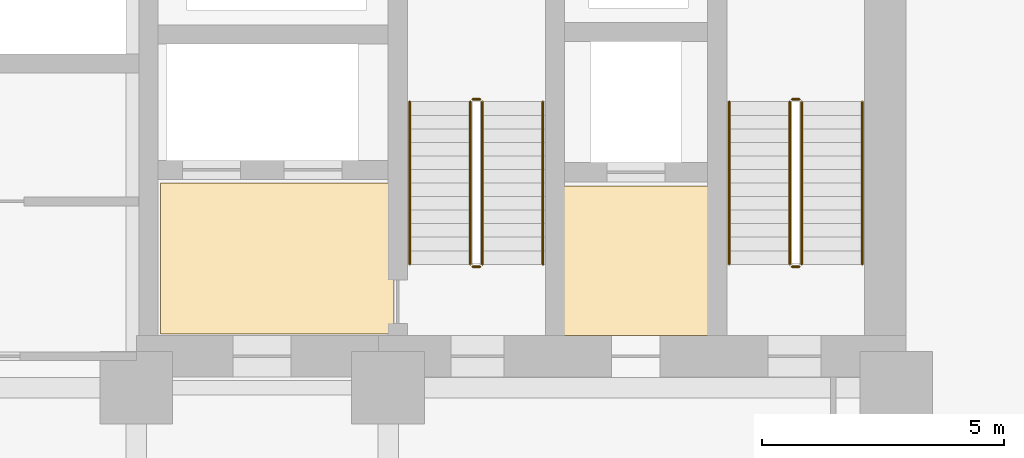
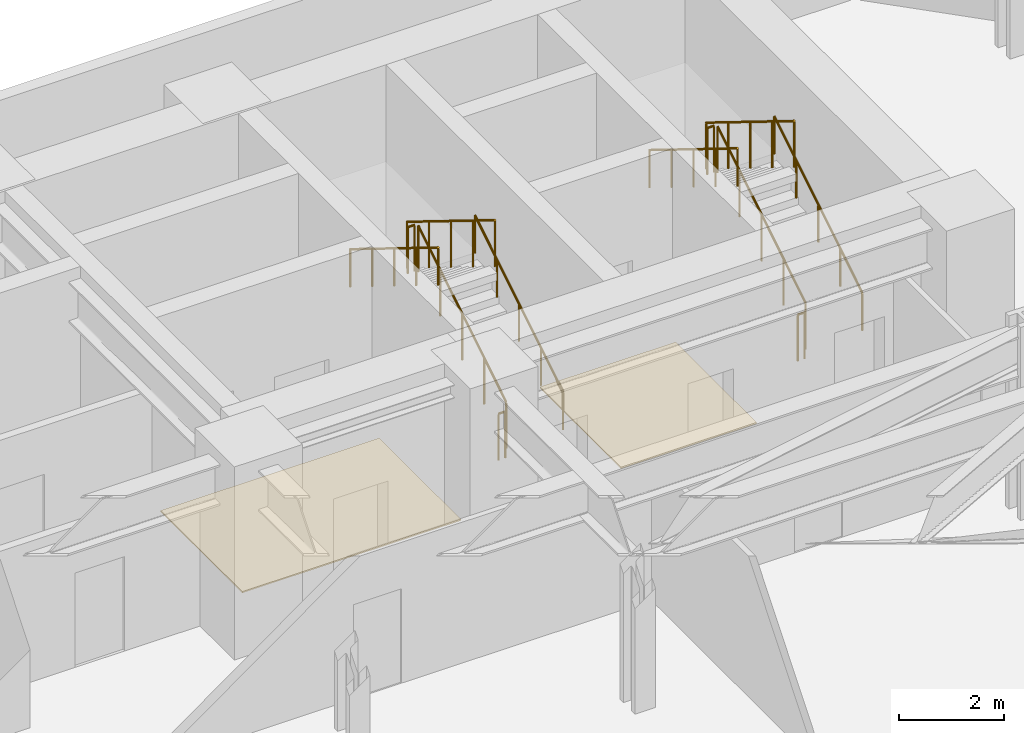
# One storey, part 28 of 28: 12 railings, 2 coverings.
"""IFC4 building model written with IfcOpenShell, lengths in metres."""

from ifc_helpers import new_model, si_unit, direction, frame, origin, origin_2d, place, context, subcontext, project, spatial, polyline, circle, outline, extrude, material, layer, layer_set, type_object, element, save


model = new_model("IFC4")

# Units and contexts
model_context = context("Model", 3, precision=1e-05, world=origin(), true_north=direction((0.0, 1.0)))
body_context = subcontext(model_context, "Body", "Model", "MODEL_VIEW")
ifc_project = project(units=[si_unit("LENGTHUNIT", "METRE"), si_unit("AREAUNIT", "SQUARE_METRE"), si_unit("VOLUMEUNIT", "CUBIC_METRE"), si_unit("PLANEANGLEUNIT", "RADIAN"), si_unit("MASSUNIT", "GRAM", prefix="KILO")], contexts=[model_context])

# Site, building, storey
site_placement = place(None, origin())
site = spatial("IfcSite", under=ifc_project, at=site_placement, CompositionType="ELEMENT")
building_placement = place(site_placement, origin())
building = spatial("IfcBuilding", under=site, at=building_placement, Name="Kravanh Interchange Tower", CompositionType="ELEMENT")
storey_placement = place(building_placement, frame((0.0, 0.0, 10.800048828125)))
storey = spatial("IfcBuildingStorey", under=building, at=storey_placement, Name="L02", CompositionType="ELEMENT", Elevation=10.800048828125)

# Coverings
ifc_material_1 = material(Name="Cementitious Terrazzo Tile")
ifc_layer_1 = layer(ifc_material_1, 0.030029296875)
ifc_layer_set_1 = layer_set([ifc_layer_1], Name="Honed Terrazzo Lobby Flooring 30mm")
covering_type = type_object("IfcCoveringType", Name="Honed Terrazzo Lobby Flooring 30mm", PredefinedType="FLOORING", material=ifc_layer_set_1)
covering_1_placement = place(storey_placement, origin())
element("IfcCovering", 1, at=covering_1_placement, inside=storey, type_object=covering_type, Name="L02 Service Lift Lobby Floor Finish", PredefinedType="FLOORING", context=body_context, shape_type="SweptSolid", body=[
    extrude(outline(polyline([(59.6298828125, 41.52001953125), (62.6201171875, 41.52001953125), (62.6201171875, 38.429931640625), (59.6298828125, 38.429931640625), (59.6298828125, 41.52001953125)])), origin(), (0.0, 0.0, 1.0), 0.030029296875),
])
covering_2_placement = place(storey_placement, origin())
element("IfcCovering", 2, at=covering_2_placement, inside=storey, type_object=covering_type, Name="L02 Firefighting Lobby Floor Finish", PredefinedType="FLOORING", context=body_context, shape_type="SweptSolid", body=[
    extrude(outline(polyline([(56.1201171875, 38.4599609375), (51.300048828125, 38.4599609375), (51.300048828125, 41.580078125), (56.1201171875, 41.580078125), (56.1201171875, 38.4599609375)])), origin(), (0.0, 0.0, 1.0), 0.030029296875),
])

# Railings
ifc_material_2 = material(Name="Structural Steel S355", Category="steel")
ifc_layer_2 = layer(ifc_material_2, 0.050048828125)
ifc_layer_set_2 = layer_set([ifc_layer_2], Name="Stair Well Guardrail Structural Steel S355 1100mm")
railing_type_1 = type_object("IfcRailingType", Name="Stair Well Guardrail Structural Steel S355 1100mm", PredefinedType="GUARDRAIL", material=ifc_layer_set_2)
railing_1_placement = place(storey_placement, frame((64.550048828125, 39.89990234375, 0.173095703125)))
element("IfcRailing", 3, at=railing_1_placement, inside=storey, type_object=railing_type_1, Name="L02 ST1 stair guard 1", PredefinedType="GUARDRAIL", context=body_context, shape_type="SweptSolid", body=[
    extrude(circle(Radius=0.02392578125, at=origin_2d()), frame((0.0, 0.0, 1.076171875), z_axis=(0.0, 0.850623216509, 0.525775754039), x_axis=(-1.0, 0.0, 0.0)), (0.0, 0.0, 1.0), 3.9501953125),
    extrude(circle(Radius=0.02099609375, at=origin_2d()), origin(), (0.0, 0.0, 1.0), 1.052001953125),
    extrude(circle(Radius=0.02099609375, at=origin_2d()), frame((0.0, 0.840087890625, 0.519287109375)), (0.0, 0.0, 1.0), 1.052001953125),
    extrude(circle(Radius=0.02099609375, at=origin_2d()), frame((0.0, 1.68017578125, 1.03857421875)), (0.0, 0.0, 1.0), 1.052001953125),
    extrude(circle(Radius=0.02099609375, at=origin_2d()), frame((0.0, 2.52001953125, 1.5576171875)), (0.0, 0.0, 1.0), 1.052001953125),
    extrude(circle(Radius=0.02099609375, at=origin_2d()), frame((0.0, 3.360107421875, 2.076904296875)), (0.0, 0.0, 1.0), 1.052001953125),
])
railing_2_placement = place(storey_placement, frame((64.5, 43.31005859375, 2.25)))
element("IfcRailing", 4, at=railing_2_placement, inside=storey, type_object=railing_type_1, Name="L02 ST1 stair guard 2", PredefinedType="GUARDRAIL", context=body_context, shape_type="SweptSolid", body=[
    extrude(circle(Radius=0.02392578125, at=origin_2d()), frame((0.0, 0.0, 1.076171875), z_axis=(-1.0, 0.0, 0.0), x_axis=(0.0, -1.0, 0.0)), (0.0, 0.0, 1.0), 0.14990234375),
    extrude(circle(Radius=0.02099609375, at=origin_2d()), origin(), (0.0, 0.0, 1.0), 1.052001953125),
    extrude(circle(Radius=0.02099609375, at=origin_2d()), frame((-0.14990234375, 0.0, 0.0)), (0.0, 0.0, 1.0), 1.052001953125),
])
railing_3_placement = place(storey_placement, frame((64.300048828125, 43.260009765625, 2.423095703125)))
element("IfcRailing", 5, at=railing_3_placement, inside=storey, type_object=railing_type_1, Name="L02 ST1 stair guard 3", PredefinedType="GUARDRAIL", context=body_context, shape_type="SweptSolid", body=[
    extrude(circle(Radius=0.02392578125, at=origin_2d()), frame((0.0, 0.0, 1.076171875), z_axis=(0.0, -0.850623216509, 0.525775754039), x_axis=(1.0, 0.0, 0.0)), (0.0, 0.0, 1.0), 3.9501953125),
    extrude(circle(Radius=0.02099609375, at=origin_2d()), origin(), (0.0, 0.0, 1.0), 1.052001953125),
    extrude(circle(Radius=0.02099609375, at=origin_2d()), frame((0.0, -0.840087890625, 0.519287109375)), (0.0, 0.0, 1.0), 1.052001953125),
    extrude(circle(Radius=0.02099609375, at=origin_2d()), frame((0.0, -1.68017578125, 1.03857421875)), (0.0, 0.0, 1.0), 1.052001953125),
    extrude(circle(Radius=0.02099609375, at=origin_2d()), frame((0.0, -2.52001953125, 1.5576171875)), (0.0, 0.0, 1.0), 1.052001953125),
    extrude(circle(Radius=0.02099609375, at=origin_2d()), frame((0.0, -3.360107421875, 2.076904296875)), (0.0, 0.0, 1.0), 1.052001953125),
])
railing_4_placement = place(storey_placement, frame((64.5, 39.85009765625, 0.0)))
element("IfcRailing", 6, at=railing_4_placement, inside=storey, type_object=railing_type_1, Name="L02 ST1 stair guard 4", PredefinedType="GUARDRAIL", context=body_context, shape_type="SweptSolid", body=[
    extrude(circle(Radius=0.02392578125, at=origin_2d()), frame((0.0, 0.0, 1.076171875), z_axis=(-1.0, 0.0, 0.0), x_axis=(0.0, -1.0, 0.0)), (0.0, 0.0, 1.0), 0.14990234375),
    extrude(circle(Radius=0.02099609375, at=origin_2d()), origin(), (0.0, 0.0, 1.0), 1.052001953125),
    extrude(circle(Radius=0.02099609375, at=origin_2d()), frame((-0.14990234375, 0.0, 0.0)), (0.0, 0.0, 1.0), 1.052001953125),
])
railing_5_placement = place(storey_placement, frame((57.949951171875, 39.89990234375, 0.173095703125)))
element("IfcRailing", 7, at=railing_5_placement, inside=storey, type_object=railing_type_1, Name="L02 ST2 stair guard 1", PredefinedType="GUARDRAIL", context=body_context, shape_type="SweptSolid", body=[
    extrude(circle(Radius=0.02392578125, at=origin_2d()), frame((0.0, 0.0, 1.076171875), z_axis=(0.0, 0.850623216509, 0.525775754039), x_axis=(-1.0, 0.0, 0.0)), (0.0, 0.0, 1.0), 3.9501953125),
    extrude(circle(Radius=0.02099609375, at=origin_2d()), origin(), (0.0, 0.0, 1.0), 1.052001953125),
    extrude(circle(Radius=0.02099609375, at=origin_2d()), frame((0.0, 0.840087890625, 0.519287109375)), (0.0, 0.0, 1.0), 1.052001953125),
    extrude(circle(Radius=0.02099609375, at=origin_2d()), frame((0.0, 1.68017578125, 1.03857421875)), (0.0, 0.0, 1.0), 1.052001953125),
    extrude(circle(Radius=0.02099609375, at=origin_2d()), frame((0.0, 2.52001953125, 1.5576171875)), (0.0, 0.0, 1.0), 1.052001953125),
    extrude(circle(Radius=0.02099609375, at=origin_2d()), frame((0.0, 3.360107421875, 2.076904296875)), (0.0, 0.0, 1.0), 1.052001953125),
])
railing_6_placement = place(storey_placement, frame((57.89990234375, 43.31005859375, 2.25)))
element("IfcRailing", 8, at=railing_6_placement, inside=storey, type_object=railing_type_1, Name="L02 ST2 stair guard 2", PredefinedType="GUARDRAIL", context=body_context, shape_type="SweptSolid", body=[
    extrude(circle(Radius=0.02392578125, at=origin_2d()), frame((0.0, 0.0, 1.076171875), z_axis=(-1.0, 0.0, 0.0), x_axis=(0.0, -1.0, 0.0)), (0.0, 0.0, 1.0), 0.14990234375),
    extrude(circle(Radius=0.02099609375, at=origin_2d()), origin(), (0.0, 0.0, 1.0), 1.052001953125),
    extrude(circle(Radius=0.02099609375, at=origin_2d()), frame((-0.14990234375, 0.0, 0.0)), (0.0, 0.0, 1.0), 1.052001953125),
])
railing_7_placement = place(storey_placement, frame((57.699951171875, 43.260009765625, 2.423095703125)))
element("IfcRailing", 9, at=railing_7_placement, inside=storey, type_object=railing_type_1, Name="L02 ST2 stair guard 3", PredefinedType="GUARDRAIL", context=body_context, shape_type="SweptSolid", body=[
    extrude(circle(Radius=0.02392578125, at=origin_2d()), frame((0.0, 0.0, 1.076171875), z_axis=(0.0, -0.850623216509, 0.525775754039), x_axis=(1.0, 0.0, 0.0)), (0.0, 0.0, 1.0), 3.9501953125),
    extrude(circle(Radius=0.02099609375, at=origin_2d()), origin(), (0.0, 0.0, 1.0), 1.052001953125),
    extrude(circle(Radius=0.02099609375, at=origin_2d()), frame((0.0, -0.840087890625, 0.519287109375)), (0.0, 0.0, 1.0), 1.052001953125),
    extrude(circle(Radius=0.02099609375, at=origin_2d()), frame((0.0, -1.68017578125, 1.03857421875)), (0.0, 0.0, 1.0), 1.052001953125),
    extrude(circle(Radius=0.02099609375, at=origin_2d()), frame((0.0, -2.52001953125, 1.5576171875)), (0.0, 0.0, 1.0), 1.052001953125),
    extrude(circle(Radius=0.02099609375, at=origin_2d()), frame((0.0, -3.360107421875, 2.076904296875)), (0.0, 0.0, 1.0), 1.052001953125),
])
railing_8_placement = place(storey_placement, frame((57.89990234375, 39.85009765625, 0.0)))
element("IfcRailing", 10, at=railing_8_placement, inside=storey, type_object=railing_type_1, Name="L02 ST2 stair guard 4", PredefinedType="GUARDRAIL", context=body_context, shape_type="SweptSolid", body=[
    extrude(circle(Radius=0.02392578125, at=origin_2d()), frame((0.0, 0.0, 1.076171875), z_axis=(-1.0, 0.0, 0.0), x_axis=(0.0, -1.0, 0.0)), (0.0, 0.0, 1.0), 0.14990234375),
    extrude(circle(Radius=0.02099609375, at=origin_2d()), origin(), (0.0, 0.0, 1.0), 1.052001953125),
    extrude(circle(Radius=0.02099609375, at=origin_2d()), frame((-0.14990234375, 0.0, 0.0)), (0.0, 0.0, 1.0), 1.052001953125),
])
ifc_material_3 = material(Name="Stainless Steel 304", Category="steel")
ifc_layer_3 = layer(ifc_material_3, 0.044921875)
ifc_layer_set_3 = layer_set([ifc_layer_3], Name="Tubular Stair Handrail Stainless 304 900mm")
railing_type_2 = type_object("IfcRailingType", Name="Tubular Stair Handrail Stainless 304 900mm", PredefinedType="HANDRAIL", material=ifc_layer_set_3)
railing_9_placement = place(storey_placement, frame((65.800048828125, 39.89990234375, 0.173095703125)))
element("IfcRailing", 11, at=railing_9_placement, inside=storey, type_object=railing_type_2, Name="L02 ST1 stair handrail 1", PredefinedType="HANDRAIL", context=body_context, shape_type="SweptSolid", body=[
    extrude(circle(Radius=0.02392578125, at=origin_2d()), frame((0.0, 0.0, 0.8759765625), z_axis=(0.0, 0.850623216509, 0.525775754039), x_axis=(-1.0, 0.0, 0.0)), (0.0, 0.0, 1.0), 3.9501953125),
    extrude(circle(Radius=0.02099609375, at=origin_2d()), origin(), (0.0, 0.0, 1.0), 0.851806640625),
    extrude(circle(Radius=0.02099609375, at=origin_2d()), frame((0.0, 0.840087890625, 0.519287109375)), (0.0, 0.0, 1.0), 0.851806640625),
    extrude(circle(Radius=0.02099609375, at=origin_2d()), frame((0.0, 1.68017578125, 1.03857421875)), (0.0, 0.0, 1.0), 0.851806640625),
    extrude(circle(Radius=0.02099609375, at=origin_2d()), frame((0.0, 2.52001953125, 1.5576171875)), (0.0, 0.0, 1.0), 0.851806640625),
    extrude(circle(Radius=0.02099609375, at=origin_2d()), frame((0.0, 3.360107421875, 2.076904296875)), (0.0, 0.0, 1.0), 0.851806640625),
])
railing_10_placement = place(storey_placement, frame((63.050048828125, 43.260009765625, 2.423095703125)))
element("IfcRailing", 12, at=railing_10_placement, inside=storey, type_object=railing_type_2, Name="L02 ST1 stair handrail 2", PredefinedType="HANDRAIL", context=body_context, shape_type="SweptSolid", body=[
    extrude(circle(Radius=0.02392578125, at=origin_2d()), frame((0.0, 0.0, 0.8759765625), z_axis=(0.0, -0.850623216509, 0.525775754039), x_axis=(1.0, 0.0, 0.0)), (0.0, 0.0, 1.0), 3.9501953125),
    extrude(circle(Radius=0.02099609375, at=origin_2d()), origin(), (0.0, 0.0, 1.0), 0.851806640625),
    extrude(circle(Radius=0.02099609375, at=origin_2d()), frame((0.0, -0.840087890625, 0.519287109375)), (0.0, 0.0, 1.0), 0.851806640625),
    extrude(circle(Radius=0.02099609375, at=origin_2d()), frame((0.0, -1.68017578125, 1.03857421875)), (0.0, 0.0, 1.0), 0.851806640625),
    extrude(circle(Radius=0.02099609375, at=origin_2d()), frame((0.0, -2.52001953125, 1.5576171875)), (0.0, 0.0, 1.0), 0.851806640625),
    extrude(circle(Radius=0.02099609375, at=origin_2d()), frame((0.0, -3.360107421875, 2.076904296875)), (0.0, 0.0, 1.0), 0.851806640625),
])
railing_11_placement = place(storey_placement, frame((59.199951171875, 39.89990234375, 0.173095703125)))
element("IfcRailing", 13, at=railing_11_placement, inside=storey, type_object=railing_type_2, Name="L02 ST2 stair handrail 1", PredefinedType="HANDRAIL", context=body_context, shape_type="SweptSolid", body=[
    extrude(circle(Radius=0.02392578125, at=origin_2d()), frame((0.0, 0.0, 0.8759765625), z_axis=(0.0, 0.850623216509, 0.525775754039), x_axis=(-1.0, 0.0, 0.0)), (0.0, 0.0, 1.0), 3.9501953125),
    extrude(circle(Radius=0.02099609375, at=origin_2d()), origin(), (0.0, 0.0, 1.0), 0.851806640625),
    extrude(circle(Radius=0.02099609375, at=origin_2d()), frame((0.0, 0.840087890625, 0.519287109375)), (0.0, 0.0, 1.0), 0.851806640625),
    extrude(circle(Radius=0.02099609375, at=origin_2d()), frame((0.0, 1.68017578125, 1.03857421875)), (0.0, 0.0, 1.0), 0.851806640625),
    extrude(circle(Radius=0.02099609375, at=origin_2d()), frame((0.0, 2.52001953125, 1.5576171875)), (0.0, 0.0, 1.0), 0.851806640625),
    extrude(circle(Radius=0.02099609375, at=origin_2d()), frame((0.0, 3.360107421875, 2.076904296875)), (0.0, 0.0, 1.0), 0.851806640625),
])
railing_12_placement = place(storey_placement, frame((56.449951171875, 43.260009765625, 2.423095703125)))
element("IfcRailing", 14, at=railing_12_placement, inside=storey, type_object=railing_type_2, Name="L02 ST2 stair handrail 2", PredefinedType="HANDRAIL", context=body_context, shape_type="SweptSolid", body=[
    extrude(circle(Radius=0.02392578125, at=origin_2d()), frame((0.0, 0.0, 0.8759765625), z_axis=(0.0, -0.850623216509, 0.525775754039), x_axis=(1.0, 0.0, 0.0)), (0.0, 0.0, 1.0), 3.9501953125),
    extrude(circle(Radius=0.02099609375, at=origin_2d()), origin(), (0.0, 0.0, 1.0), 0.851806640625),
    extrude(circle(Radius=0.02099609375, at=origin_2d()), frame((0.0, -0.840087890625, 0.519287109375)), (0.0, 0.0, 1.0), 0.851806640625),
    extrude(circle(Radius=0.02099609375, at=origin_2d()), frame((0.0, -1.68017578125, 1.03857421875)), (0.0, 0.0, 1.0), 0.851806640625),
    extrude(circle(Radius=0.02099609375, at=origin_2d()), frame((0.0, -2.52001953125, 1.5576171875)), (0.0, 0.0, 1.0), 0.851806640625),
    extrude(circle(Radius=0.02099609375, at=origin_2d()), frame((0.0, -3.360107421875, 2.076904296875)), (0.0, 0.0, 1.0), 0.851806640625),
])

save(model, "model.ifc")
